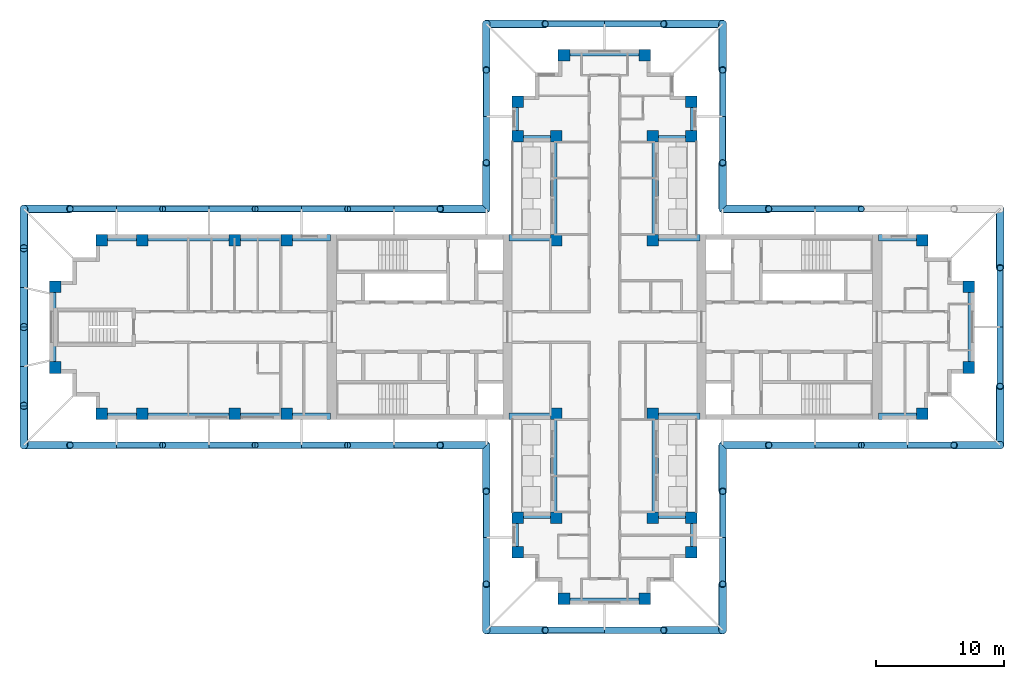
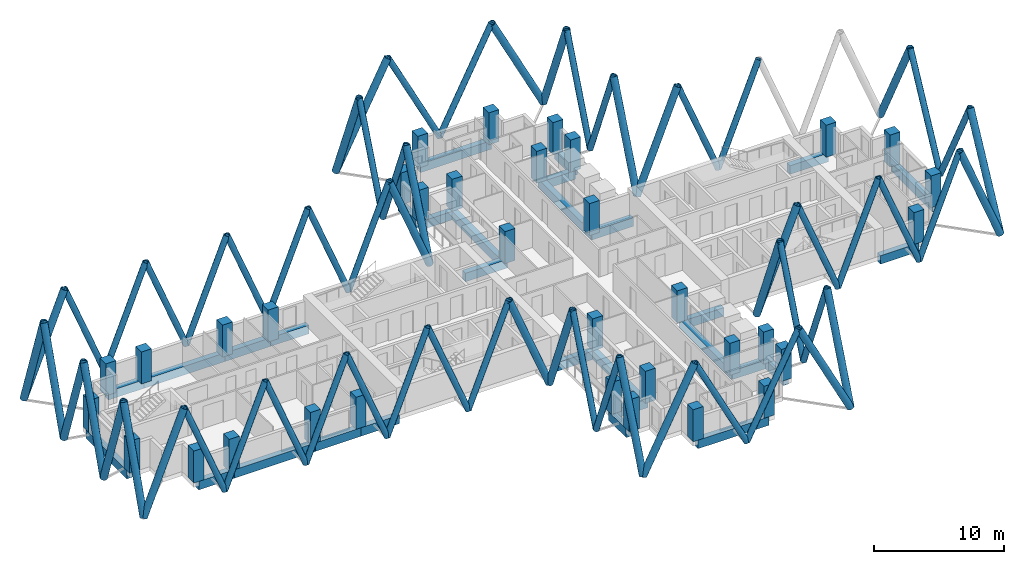
# One storey, part 1 of 12: 63 members, 34 columns, 30 beams.
"""IFC4 building model written with IfcOpenShell, lengths in metres."""

import ifcopenshell
import ifcopenshell.guid

model = None  # the IFC model being written
_history = None  # IfcOwnerHistory: only IFC2X3 demands one
_inside = {}  # id of a spatial element -> (the spatial element, [elements in it])
_under = {}  # id of a project, library or spatial element -> (it, [spatial elements below it])
_declared = {}  # id of a project -> (the project, [libraries it declares])
_typed = {}  # id of a type object -> (the type object, [elements of that type])
_made_of = {}  # id of a material, layer set ... -> (it, [elements and type objects made of it])


def new_model(schema):
    """Start an empty IFC model of exactly this schema.

    Asked for "IFC4X3", IfcOpenShell would pick the latest addendum, in which some entities
    have other attributes; the version numbers below select the first issue.
    IFC2X3 requires an IfcOwnerHistory on every rooted entity: one is made here for all.
    """
    global model, _history
    if schema == "IFC4X3":
        model = ifcopenshell.file(schema_version=(4, 3, 0, 0))
    else:
        model = ifcopenshell.file(schema=schema)
    _inside.clear()
    _under.clear()
    _declared.clear()
    _typed.clear()
    _made_of.clear()
    _history = None
    if model.schema == "IFC2X3":
        org = make("IfcOrganization", Name="unknown")
        user = make(
            "IfcPersonAndOrganization",
            ThePerson=make("IfcPerson", FamilyName="unknown"),
            TheOrganization=org,
        )
        app = make(
            "IfcApplication",
            ApplicationDeveloper=org,
            Version="unknown",
            ApplicationFullName="unknown",
            ApplicationIdentifier="unknown",
        )
        _history = make(
            "IfcOwnerHistory",
            OwningUser=user,
            OwningApplication=app,
            ChangeAction="ADDED",
            CreationDate=0,
        )
    return model


def make(cls, **values):
    """One entity of the class cls with the attributes given. An attribute that is None is left unset."""
    return model.create_entity(
        cls, **{name: value for name, value in values.items() if value is not None}
    )


def rooted(cls, **values):
    """An entity with a GlobalId (a new one), such as an element, a storey or a relation."""
    return make(cls, GlobalId=ifcopenshell.guid.new(), OwnerHistory=_history, **values)


def si_unit(unit_type, name, prefix=None):
    """IfcSIUnit, for example si_unit("LENGTHUNIT", "METRE", prefix="MILLI")."""
    return make("IfcSIUnit", UnitType=unit_type, Prefix=prefix, Name=name)


def assignment(units):
    """IfcUnitAssignment: the units of a project."""
    return None if units is None else make("IfcUnitAssignment", Units=units)


def point(xyz):
    """IfcCartesianPoint."""
    return None if xyz is None else make("IfcCartesianPoint", Coordinates=xyz)


def direction(xyz):
    """IfcDirection."""
    return None if xyz is None else make("IfcDirection", DirectionRatios=xyz)


def frame(location, z_axis=None, x_axis=None):
    """IfcAxis2Placement3D, a coordinate frame: its origin and axes. An axis left out is left unset."""
    return make(
        "IfcAxis2Placement3D",
        Location=point(location),
        Axis=direction(z_axis),
        RefDirection=direction(x_axis),
    )


def frame_2d(location, x_axis=None):
    """IfcAxis2Placement2D, a coordinate frame in the plane: its origin and x axis."""
    return make(
        "IfcAxis2Placement2D", Location=point(location), RefDirection=direction(x_axis)
    )


def origin():
    """The frame at (0, 0, 0) with its axes left unset."""
    return frame((0.0, 0.0, 0.0))


def origin_2d():
    """The frame at (0, 0) in the plane with its x axis left unset."""
    return frame_2d((0.0, 0.0))


def place(relative_to, where):
    """IfcLocalPlacement: puts the frame where relative to a parent placement (None: the world)."""
    return make(
        "IfcLocalPlacement", PlacementRelTo=relative_to, RelativePlacement=where
    )


def context(
    kind, dimensions, precision=None, world=None, true_north=None, identifier=None
):
    """IfcGeometricRepresentationContext, for example the 3D "Model" context."""
    return make(
        "IfcGeometricRepresentationContext",
        ContextIdentifier=identifier,
        ContextType=kind,
        CoordinateSpaceDimension=dimensions,
        Precision=precision,
        WorldCoordinateSystem=world,
        TrueNorth=true_north,
    )


def subcontext(parent, identifier, kind, view, scale=None):
    """IfcGeometricRepresentationSubContext, for example "Body" below "Model"."""
    return make(
        "IfcGeometricRepresentationSubContext",
        ContextIdentifier=identifier,
        ContextType=kind,
        ParentContext=parent,
        TargetScale=scale,
        TargetView=view,
    )


def project(units=None, contexts=None):
    """IfcProject with its units and contexts."""
    return rooted(
        "IfcProject",
        Name="project",
        RepresentationContexts=contexts,
        UnitsInContext=assignment(units),
    )


def spatial(cls, under=None, at=None, **own):
    """A site, building, storey or space (cls), placed at a placement, below another one or the project."""
    s = rooted(cls, ObjectPlacement=at, **own)
    if under is not None:
        _under.setdefault(under.id(), (under, []))[1].append(s)
    return s


def profile(cls, at=None, kind="AREA", **sizes):
    """A parametric profile (cls). Its sizes go by their IFC names, for example OverallWidth=200.0."""
    return make(cls, ProfileType=kind, Position=at, **sizes)


def rectangle(**sizes):
    """IfcRectangleProfileDef."""
    return profile("IfcRectangleProfileDef", **sizes)


def hollow_circle(**sizes):
    """IfcCircleHollowProfileDef."""
    return profile("IfcCircleHollowProfileDef", **sizes)


def extrude(swept, where, along, depth):
    """IfcExtrudedAreaSolid: the profile swept, set in the frame where, extruded along a direction by depth."""
    return make(
        "IfcExtrudedAreaSolid",
        SweptArea=swept,
        Position=where,
        ExtrudedDirection=direction(along),
        Depth=depth,
    )


def shape(context_of_items, identifier, shape_type, items):
    """IfcShapeRepresentation: the items that make up one representation, for example the "Body"."""
    return make(
        "IfcShapeRepresentation",
        ContextOfItems=context_of_items,
        RepresentationIdentifier=identifier,
        RepresentationType=shape_type,
        Items=items,
    )


def material(Name=None, Category=None):
    """IfcMaterial."""
    return make("IfcMaterial", Name=Name, Category=Category)


def material_profile(
    of_material, cross_section, Name=None, Category=None, Priority=None
):
    """IfcMaterialProfile: a cross section and its material."""
    return make(
        "IfcMaterialProfile",
        Name=Name,
        Material=of_material,
        Profile=cross_section,
        Priority=Priority,
        Category=Category,
    )


def profile_set(profiles, Name=None, composite=None):
    """IfcMaterialProfileSet."""
    return make(
        "IfcMaterialProfileSet",
        Name=Name,
        MaterialProfiles=profiles,
        CompositeProfile=composite,
    )


def made_of(thing, what):
    """Note that an element or type object is made of a material, layer set ...; save() writes the relation."""
    if what is not None:
        _made_of.setdefault(what.id(), (what, []))[1].append(thing)
    return thing


def type_object(cls, material=None, **own):
    """A type object (cls), such as IfcWallType, which elements share."""
    return made_of(rooted(cls, **own), material)


def element(
    cls,
    number,
    at=None,
    inside=None,
    cuts=None,
    type_object=None,
    material=None,
    context=None,
    identifier="Body",
    shape_type=None,
    held_by="IfcProductDefinitionShape",
    body=None,
    shapes=None,
    **own,
):
    """One element of the class cls, such as IfcWall. Its Tag is "e" and its number.

    at: its placement. inside: the storey or other place that contains it. cuts: it is an
    opening in that element (IfcRelVoidsElement). A single representation is given by context,
    identifier, shape_type and body (its items); several are given by shapes. held_by: the class
    of the entity that holds the representations. save() writes the other relations.
    """
    e = rooted(cls, Tag="e%d" % number, ObjectPlacement=at, **own)
    if body is not None:
        shapes = [shape(context, identifier, shape_type, body)]
    if shapes is not None:
        e.Representation = make(held_by, Representations=shapes)
    if inside is not None:
        _inside.setdefault(inside.id(), (inside, []))[1].append(e)
    if cuts is not None:
        rooted(
            "IfcRelVoidsElement", RelatingBuildingElement=cuts, RelatedOpeningElement=e
        )
    if type_object is not None:
        _typed.setdefault(type_object.id(), (type_object, []))[1].append(e)
    return made_of(e, material)


def aggregate(whole, parts):
    """IfcRelAggregates: a whole, such as a stair, and the parts it consists of."""
    return rooted("IfcRelAggregates", RelatingObject=whole, RelatedObjects=parts)


def save(model, path):
    """Write the relations noted so far, then the file.

    IfcRelAggregates (storeys below a building ...), IfcRelContainedInSpatialStructure (elements
    in a storey), IfcRelDefinesByType, IfcRelAssociatesMaterial and IfcRelDeclares: one each for
    every whole, place, type object, material and project.
    """
    for whole, parts in _under.values():
        aggregate(whole, parts)
    for where, things in _inside.values():
        rooted(
            "IfcRelContainedInSpatialStructure",
            RelatedElements=things,
            RelatingStructure=where,
        )
    for kind, things in _typed.values():
        rooted("IfcRelDefinesByType", RelatedObjects=things, RelatingType=kind)
    for what, things in _made_of.values():
        rooted("IfcRelAssociatesMaterial", RelatedObjects=things, RelatingMaterial=what)
    for by, libraries in _declared.values():
        rooted("IfcRelDeclares", RelatingContext=by, RelatedDefinitions=libraries)
    model.write(path)


model = new_model("IFC4")

# Units and contexts
model_context = context("Model", 3, precision=1e-05, world=origin(), true_north=direction((0.0, 1.0)))
body_context = subcontext(model_context, "Body", "Model", "MODEL_VIEW")
ifc_project = project(units=[si_unit("LENGTHUNIT", "METRE"), si_unit("AREAUNIT", "SQUARE_METRE"), si_unit("VOLUMEUNIT", "CUBIC_METRE"), si_unit("PLANEANGLEUNIT", "RADIAN"), si_unit("MASSUNIT", "GRAM", prefix="KILO")], contexts=[model_context])

# Site, building, storey
site_placement = place(None, origin())
site = spatial("IfcSite", under=ifc_project, at=site_placement, CompositionType="ELEMENT")
building_placement = place(site_placement, origin())
building = spatial("IfcBuilding", under=site, at=building_placement, Name="Fustian Cross Tower", CompositionType="ELEMENT")
storey_placement = place(building_placement, frame((0.0, 0.0, 179.699951171875)))
storey = spatial("IfcBuildingStorey", under=building, at=storey_placement, Name="L56", CompositionType="ELEMENT", Elevation=179.699951171875)

# Columns
ifc_material_1 = material(Name="Concrete C40/50", Category="concrete")
ifc_material_profile_1 = material_profile(ifc_material_1, rectangle(XDim=0.89990234375, YDim=0.89990234375, at=origin_2d()), Name="RC 900x900")
ifc_profile_set_1 = profile_set([ifc_material_profile_1], Name="Concrete C40/50")
column_type = type_object("IfcColumnType", Name="COLUMN RC 900x900 C40/50", PredefinedType="COLUMN", material=ifc_profile_set_1)
for number, where, z_axis, x_axis, name in (
    (1, (-42.75, -3.14990234375, 0.0), (0.0, 0.0, 1.0), (1.0, 0.0, 0.0), "COLUMN 001"),
    (2, (-42.75, 3.14990234375, 0.0), (0.0, 0.0, 1.0), (1.0, 0.0, 0.0), "COLUMN 002"),
    (3, (-39.14990234375, -6.75, 0.0), (0.0, 0.0, 1.0), (1.0, 0.0, 0.0), "COLUMN 003"),
    (4, (-39.14990234375, 6.75, 0.0), (0.0, 0.0, 1.0), (1.0, 0.0, 0.0), "COLUMN 004"),
    (5, (-36.0, -6.75, 0.0), (0.0, 0.0, 1.0), (1.0, 0.0, 0.0), "COLUMN 005"),
    (6, (-36.0, 6.75, 0.0), (0.0, 0.0, 1.0), (1.0, 0.0, 0.0), "COLUMN 006"),
    (7, (-28.800048828125, -6.75, 0.0), (0.0, 0.0, 1.0), (1.0, 0.0, 0.0), "COLUMN 007"),
    (8, (-28.800048828125, 6.75, 0.0), (0.0, 0.0, 1.0), (1.0, 0.0, 0.0), "COLUMN 010"),
    (9, (-24.75, -6.75, 0.0), (0.0, 0.0, 1.0), (1.0, 0.0, 0.0), "COLUMN 011"),
    (10, (-24.75, 6.75, 0.0), (0.0, 0.0, 1.0), (1.0, 0.0, 0.0), "COLUMN 012"),
    (11, (-6.75, -17.550048828125, 0.0), (0.0, 0.0, 1.0), (1.0, 0.0, 0.0), "COLUMN 017"),
    (12, (-6.75, -14.85009765625, 0.0), (0.0, 0.0, 1.0), (1.0, 0.0, 0.0), "COLUMN 018"),
    (13, (-6.75, 14.85009765625, 0.0), (0.0, 0.0, 1.0), (1.0, 0.0, 0.0), "COLUMN 019"),
    (14, (-6.75, 17.550048828125, 0.0), (0.0, 0.0, 1.0), (1.0, 0.0, 0.0), "COLUMN 020"),
    (15, (-3.75, -14.85009765625, 0.0), (0.0, 0.0, 1.0), (1.0, 0.0, 0.0), "COLUMN 025"),
    (16, (-3.75, -6.75, 0.0), (0.0, 0.0, 1.0), (1.0, 0.0, 0.0), "COLUMN 026"),
    (17, (-3.75, 6.75, 0.0), (0.0, 0.0, 1.0), (1.0, 0.0, 0.0), "COLUMN 027"),
    (18, (-3.75, 14.85009765625, 0.0), (0.0, 0.0, 1.0), (1.0, 0.0, 0.0), "COLUMN 028"),
    (19, (-3.14990234375, -21.14990234375, 0.0), (0.0, 0.0, 1.0), (1.0, 0.0, 0.0), "COLUMN 030"),
    (20, (-3.14990234375, 21.14990234375, 0.0), (0.0, 0.0, 1.0), (1.0, 0.0, 0.0), "COLUMN 031"),
    (21, (3.14990234375, -21.14990234375, 0.0), (0.0, 0.0, 1.0), (1.0, 0.0, 0.0), "COLUMN 034"),
    (22, (3.14990234375, 21.14990234375, 0.0), (0.0, 0.0, 1.0), (1.0, 0.0, 0.0), "COLUMN 035"),
    (23, (3.75, -14.85009765625, 0.0), (0.0, 0.0, 1.0), (1.0, 0.0, 0.0), "COLUMN 037"),
    (24, (3.75, -6.75, 0.0), (0.0, 0.0, 1.0), (1.0, 0.0, 0.0), "COLUMN 038"),
    (25, (3.75, 6.75, 0.0), (0.0, 0.0, 1.0), (1.0, 0.0, 0.0), "COLUMN 039"),
    (26, (3.75, 14.85009765625, 0.0), (0.0, 0.0, 1.0), (1.0, 0.0, 0.0), "COLUMN 040"),
    (27, (6.75, -17.550048828125, 0.0), (0.0, 0.0, 1.0), (1.0, 0.0, 0.0), "COLUMN 045"),
    (28, (6.75, -14.85009765625, 0.0), (0.0, 0.0, 1.0), (1.0, 0.0, 0.0), "COLUMN 046"),
    (29, (6.75, 14.85009765625, 0.0), (0.0, 0.0, 1.0), (1.0, 0.0, 0.0), "COLUMN 047"),
    (30, (6.75, 17.550048828125, 0.0), (0.0, 0.0, 1.0), (1.0, 0.0, 0.0), "COLUMN 048"),
    (31, (24.75, -6.75, 0.0), (0.0, 0.0, 1.0), (1.0, 0.0, 0.0), "COLUMN 053"),
    (32, (24.75, 6.75, 0.0), (0.0, 0.0, 1.0), (1.0, 0.0, 0.0), "COLUMN 054"),
    (33, (28.35009765625, -3.14990234375, 0.0), (0.0, 0.0, 1.0), (1.0, 0.0, 0.0), "COLUMN 056"),
    (34, (28.35009765625, 3.14990234375, 0.0), (0.0, 0.0, 1.0), (1.0, 0.0, 0.0), "COLUMN 057"),
):
    element("IfcColumn", number, at=place(storey_placement, frame(where, z_axis=z_axis, x_axis=x_axis)), inside=storey, type_object=column_type, Name=name, PredefinedType="COLUMN", context=body_context, shape_type="SweptSolid", body=[
        extrude(rectangle(XDim=0.89990234375, YDim=0.89990234375, at=origin_2d()), origin(), (0.0, 0.0, 1.0), 3.0),
    ])

# Members
ifc_material_2 = material(Name="Steel S355", Category="steel")
ifc_material_profile_2 = material_profile(ifc_material_2, hollow_circle(Radius=0.25390625, WallThickness=0.02001953125, at=origin_2d()), Name="CHS 508x20")
ifc_profile_set_2 = profile_set([ifc_material_profile_2], Name="Steel S355")
member_type_1 = type_object("IfcMemberType", Name="DIAGRID DIAGONAL CHS 508x20", PredefinedType="BRACE", material=ifc_profile_set_2)
for number, where, z_axis, x_axis, name in (
    (35, (16.39990234375, -9.199951171875, 0.0), (-0.371377648723, 0.0, 0.928481901832), (0.0, -1.0, 0.0), "Diagrid diagonal E-S 02"),
    (36, (16.39990234375, -9.199951171875, 0.0), (0.37139936132, 0.0, 0.928473216852), (0.0, 1.0, 0.0), "Diagrid diagonal E-S 03"),
    (37, (23.60009765625, -9.199951171875, 0.0), (-0.37139936132, 0.0, 0.928473216852), (0.0, -1.0, 0.0), "Diagrid diagonal E-S 04"),
    (38, (23.60009765625, -9.199951171875, 0.0), (0.371377648723, 0.0, 0.928481901832), (0.0, 1.0, 0.0), "Diagrid diagonal E-S 05"),
):
    element("IfcMember", number, at=place(storey_placement, frame(where, z_axis=z_axis, x_axis=x_axis)), inside=storey, type_object=member_type_1, Name=name, PredefinedType="BRACE", context=body_context, shape_type="SweptSolid", body=[
        extrude(hollow_circle(Radius=0.25390625, WallThickness=0.02001953125, at=origin_2d()), origin(), (0.0, 0.0, 1.0), 9.693359375),
    ])
for number, where, z_axis, x_axis, name in (
    (39, (30.800048828125, 0.0, 0.0), (0.0, -0.455118720355, 0.890430766754), (1.0, 0.0, 0.0), "Diagrid diagonal E-end 02"),
    (40, (30.800048828125, 0.0, 0.0), (0.0, 0.455118720355, 0.890430766754), (-1.0, 0.0, 0.0), "Diagrid diagonal E-end 03"),
):
    element("IfcMember", number, at=place(storey_placement, frame(where, z_axis=z_axis, x_axis=x_axis)), inside=storey, type_object=member_type_1, Name=name, PredefinedType="BRACE", context=body_context, shape_type="SweptSolid", body=[
        extrude(hollow_circle(Radius=0.25390625, WallThickness=0.02001953125, at=origin_2d()), origin(), (0.0, 0.0, 1.0), 10.107421875),
    ])
for number, where, z_axis, x_axis, name in (
    (41, (16.39990234375, 9.199951171875, 0.0), (0.37139936132, 0.0, 0.928473216852), (0.0, 1.0, 0.0), "Diagrid diagonal E-N 04"),
    (42, (16.39990234375, 9.199951171875, 0.0), (-0.371377648723, 0.0, 0.928481901832), (0.0, -1.0, 0.0), "Diagrid diagonal E-N 05"),
    (43, (9.199951171875, 16.39990234375, 0.0), (0.0, -0.371377648723, 0.928481901832), (1.0, 0.0, 0.0), "Diagrid diagonal N-E 02"),
    (44, (9.199951171875, 16.39990234375, 0.0), (0.0, 0.37139936132, 0.928473216852), (-1.0, 0.0, 0.0), "Diagrid diagonal N-E 03"),
):
    element("IfcMember", number, at=place(storey_placement, frame(where, z_axis=z_axis, x_axis=x_axis)), inside=storey, type_object=member_type_1, Name=name, PredefinedType="BRACE", context=body_context, shape_type="SweptSolid", body=[
        extrude(hollow_circle(Radius=0.25390625, WallThickness=0.02001953125, at=origin_2d()), origin(), (0.0, 0.0, 1.0), 9.693359375),
    ])
for number, where, z_axis, x_axis, name in (
    (45, (0.0, 23.60009765625, 0.0), (0.455118720355, 0.0, 0.890430766754), (0.0, 1.0, 0.0), "Diagrid diagonal N-end 02"),
    (46, (0.0, 23.60009765625, 0.0), (-0.455118720355, 0.0, 0.890430766754), (0.0, -1.0, 0.0), "Diagrid diagonal N-end 03"),
):
    element("IfcMember", number, at=place(storey_placement, frame(where, z_axis=z_axis, x_axis=x_axis)), inside=storey, type_object=member_type_1, Name=name, PredefinedType="BRACE", context=body_context, shape_type="SweptSolid", body=[
        extrude(hollow_circle(Radius=0.25390625, WallThickness=0.02001953125, at=origin_2d()), origin(), (0.0, 0.0, 1.0), 10.107421875),
    ])
for number, where, z_axis, x_axis, name in (
    (47, (-9.199951171875, 16.39990234375, 0.0), (0.0, 0.37139936132, 0.928473216852), (-1.0, 0.0, 0.0), "Diagrid diagonal N-W 02"),
    (48, (-9.199951171875, 16.39990234375, 0.0), (0.0, -0.371377648723, 0.928481901832), (1.0, 0.0, 0.0), "Diagrid diagonal N-W 03"),
    (49, (-16.39990234375, 9.199951171875, 0.0), (0.371377648723, 0.0, 0.928481901832), (0.0, 1.0, 0.0), "Diagrid diagonal W-N 02"),
    (50, (-16.39990234375, 9.199951171875, 0.0), (-0.37139936132, 0.0, 0.928473216852), (0.0, -1.0, 0.0), "Diagrid diagonal W-N 03"),
    (51, (-23.60009765625, 9.199951171875, 0.0), (0.37139936132, 0.0, 0.928473216852), (0.0, 1.0, 0.0), "Diagrid diagonal W-N 04"),
    (52, (-23.60009765625, 9.199951171875, 0.0), (-0.371377648723, 0.0, 0.928481901832), (0.0, -1.0, 0.0), "Diagrid diagonal W-N 05"),
    (53, (-30.800048828125, 9.199951171875, 0.0), (0.37139936132, 0.0, 0.928473216852), (0.0, 1.0, 0.0), "Diagrid diagonal W-N 06"),
    (54, (-30.800048828125, 9.199951171875, 0.0), (-0.371377648723, 0.0, 0.928481901832), (0.0, -1.0, 0.0), "Diagrid diagonal W-N 07"),
    (55, (-38.0, 9.199951171875, 0.0), (0.37139936132, 0.0, 0.928473216852), (0.0, 1.0, 0.0), "Diagrid diagonal W-N 08"),
    (56, (-38.0, 9.199951171875, 0.0), (-0.37139936132, 0.0, 0.928473216852), (0.0, -1.0, 0.0), "Diagrid diagonal W-N 09"),
    (57, (-38.0, -9.199951171875, 0.0), (-0.37139936132, 0.0, 0.928473216852), (0.0, -1.0, 0.0), "Diagrid diagonal W-S 02"),
    (58, (-38.0, -9.199951171875, 0.0), (0.37139936132, 0.0, 0.928473216852), (0.0, 1.0, 0.0), "Diagrid diagonal W-S 03"),
    (59, (-30.800048828125, -9.199951171875, 0.0), (-0.371377648723, 0.0, 0.928481901832), (0.0, -1.0, 0.0), "Diagrid diagonal W-S 04"),
    (60, (-30.800048828125, -9.199951171875, 0.0), (0.37139936132, 0.0, 0.928473216852), (0.0, 1.0, 0.0), "Diagrid diagonal W-S 05"),
    (61, (-23.60009765625, -9.199951171875, 0.0), (-0.371377648723, 0.0, 0.928481901832), (0.0, -1.0, 0.0), "Diagrid diagonal W-S 06"),
    (62, (-23.60009765625, -9.199951171875, 0.0), (0.37139936132, 0.0, 0.928473216852), (0.0, 1.0, 0.0), "Diagrid diagonal W-S 07"),
    (63, (-16.39990234375, -9.199951171875, 0.0), (-0.37139936132, 0.0, 0.928473216852), (0.0, -1.0, 0.0), "Diagrid diagonal W-S 08"),
    (64, (-16.39990234375, -9.199951171875, 0.0), (0.371377648723, 0.0, 0.928481901832), (0.0, 1.0, 0.0), "Diagrid diagonal W-S 09"),
    (65, (-9.199951171875, -16.39990234375, 0.0), (0.0, 0.371377648723, 0.928481901832), (-1.0, 0.0, 0.0), "Diagrid diagonal S-W 02"),
    (66, (-9.199951171875, -16.39990234375, 0.0), (0.0, -0.37139936132, 0.928473216852), (1.0, 0.0, 0.0), "Diagrid diagonal S-W 03"),
):
    element("IfcMember", number, at=place(storey_placement, frame(where, z_axis=z_axis, x_axis=x_axis)), inside=storey, type_object=member_type_1, Name=name, PredefinedType="BRACE", context=body_context, shape_type="SweptSolid", body=[
        extrude(hollow_circle(Radius=0.25390625, WallThickness=0.02001953125, at=origin_2d()), origin(), (0.0, 0.0, 1.0), 9.693359375),
    ])
for number, where, z_axis, x_axis, name in (
    (67, (0.0, -23.60009765625, 0.0), (-0.455118720355, 0.0, 0.890430766754), (0.0, -1.0, 0.0), "Diagrid diagonal S-end 02"),
    (68, (0.0, -23.60009765625, 0.0), (0.455118720355, 0.0, 0.890430766754), (0.0, 1.0, 0.0), "Diagrid diagonal S-end 03"),
):
    element("IfcMember", number, at=place(storey_placement, frame(where, z_axis=z_axis, x_axis=x_axis)), inside=storey, type_object=member_type_1, Name=name, PredefinedType="BRACE", context=body_context, shape_type="SweptSolid", body=[
        extrude(hollow_circle(Radius=0.25390625, WallThickness=0.02001953125, at=origin_2d()), origin(), (0.0, 0.0, 1.0), 10.107421875),
    ])
for number, where, z_axis, x_axis, name in (
    (69, (9.199951171875, -16.39990234375, 0.0), (0.0, -0.37139936132, 0.928473216852), (1.0, 0.0, 0.0), "Diagrid diagonal S-E 02"),
    (70, (9.199951171875, -16.39990234375, 0.0), (0.0, 0.371377648723, 0.928481901832), (-1.0, 0.0, 0.0), "Diagrid diagonal S-E 03"),
):
    element("IfcMember", number, at=place(storey_placement, frame(where, z_axis=z_axis, x_axis=x_axis)), inside=storey, type_object=member_type_1, Name=name, PredefinedType="BRACE", context=body_context, shape_type="SweptSolid", body=[
        extrude(hollow_circle(Radius=0.25390625, WallThickness=0.02001953125, at=origin_2d()), origin(), (0.0, 0.0, 1.0), 9.693359375),
    ])
ifc_material_3 = material(Name="Steel S355", Category="steel")
ifc_material_profile_3 = material_profile(ifc_material_3, hollow_circle(Radius=0.3046875, WallThickness=0.02490234375, at=origin_2d()), Name="CHS 610x25")
ifc_profile_set_3 = profile_set([ifc_material_profile_3], Name="Steel S355")
member_type_2 = type_object("IfcMemberType", Name="DIAGRID DIAGONAL CHS 610x25", PredefinedType="BRACE", material=ifc_profile_set_3)
for number, where, z_axis, x_axis, name in (
    (71, (9.199951171875, -9.199951171875, 0.0), (0.37139936132, 0.0, 0.928473216852), (0.0, 1.0, 0.0), "Diagrid diagonal E-S 01"),
    (72, (30.800048828125, -9.199951171875, 0.0), (-0.37139936132, 0.0, 0.928473216852), (0.0, -1.0, 0.0), "Diagrid diagonal E-S 06"),
):
    element("IfcMember", number, at=place(storey_placement, frame(where, z_axis=z_axis, x_axis=x_axis)), inside=storey, type_object=member_type_2, Name=name, PredefinedType="BRACE", context=body_context, shape_type="SweptSolid", body=[
        extrude(hollow_circle(Radius=0.3046875, WallThickness=0.02490234375, at=origin_2d()), origin(), (0.0, 0.0, 1.0), 9.693359375),
    ])
for number, where, z_axis, x_axis, name in (
    (73, (30.800048828125, -9.199951171875, 0.0), (0.0, 0.45509956875, 0.8904405553), (-1.0, 0.0, 0.0), "Diagrid diagonal E-end 01"),
    (74, (30.800048828125, 9.199951171875, 0.0), (0.0, -0.45509956875, 0.8904405553), (1.0, 0.0, 0.0), "Diagrid diagonal E-end 04"),
):
    element("IfcMember", number, at=place(storey_placement, frame(where, z_axis=z_axis, x_axis=x_axis)), inside=storey, type_object=member_type_2, Name=name, PredefinedType="BRACE", context=body_context, shape_type="SweptSolid", body=[
        extrude(hollow_circle(Radius=0.3046875, WallThickness=0.02490234375, at=origin_2d()), origin(), (0.0, 0.0, 1.0), 10.107421875),
    ])
for number, where, z_axis, x_axis, name in (
    (75, (9.199951171875, 9.199951171875, 0.0), (0.37139936132, 0.0, 0.928473216852), (0.0, 1.0, 0.0), "Diagrid diagonal E-N 06"),
    (76, (9.199951171875, 9.199951171875, 0.0), (0.0, 0.37139936132, 0.928473216852), (-1.0, 0.0, 0.0), "Diagrid diagonal N-E 01"),
    (77, (9.199951171875, 23.60009765625, 0.0), (0.0, -0.37139936132, 0.928473216852), (1.0, 0.0, 0.0), "Diagrid diagonal N-E 04"),
):
    element("IfcMember", number, at=place(storey_placement, frame(where, z_axis=z_axis, x_axis=x_axis)), inside=storey, type_object=member_type_2, Name=name, PredefinedType="BRACE", context=body_context, shape_type="SweptSolid", body=[
        extrude(hollow_circle(Radius=0.3046875, WallThickness=0.02490234375, at=origin_2d()), origin(), (0.0, 0.0, 1.0), 9.693359375),
    ])
for number, where, z_axis, x_axis, name in (
    (78, (9.199951171875, 23.60009765625, 0.0), (-0.45509956875, 0.0, 0.8904405553), (0.0, -1.0, 0.0), "Diagrid diagonal N-end 01"),
    (79, (-9.199951171875, 23.60009765625, 0.0), (0.45509956875, 0.0, 0.8904405553), (0.0, 1.0, 0.0), "Diagrid diagonal N-end 04"),
):
    element("IfcMember", number, at=place(storey_placement, frame(where, z_axis=z_axis, x_axis=x_axis)), inside=storey, type_object=member_type_2, Name=name, PredefinedType="BRACE", context=body_context, shape_type="SweptSolid", body=[
        extrude(hollow_circle(Radius=0.3046875, WallThickness=0.02490234375, at=origin_2d()), origin(), (0.0, 0.0, 1.0), 10.107421875),
    ])
for number, where, z_axis, x_axis, name in (
    (80, (-9.199951171875, 23.60009765625, 0.0), (0.0, -0.37139936132, 0.928473216852), (1.0, 0.0, 0.0), "Diagrid diagonal N-W 01"),
    (81, (-9.199951171875, 9.199951171875, 0.0), (0.0, 0.37139936132, 0.928473216852), (-1.0, 0.0, 0.0), "Diagrid diagonal N-W 04"),
    (82, (-9.199951171875, 9.199951171875, 0.0), (-0.37139936132, 0.0, 0.928473216852), (0.0, -1.0, 0.0), "Diagrid diagonal W-N 01"),
    (83, (-45.199951171875, 9.199951171875, 0.0), (0.371377648723, 0.0, 0.928481901832), (0.0, 1.0, 0.0), "Diagrid diagonal W-N 10"),
):
    element("IfcMember", number, at=place(storey_placement, frame(where, z_axis=z_axis, x_axis=x_axis)), inside=storey, type_object=member_type_2, Name=name, PredefinedType="BRACE", context=body_context, shape_type="SweptSolid", body=[
        extrude(hollow_circle(Radius=0.3046875, WallThickness=0.02490234375, at=origin_2d()), origin(), (0.0, 0.0, 1.0), 9.693359375),
    ])
for number, where, z_axis, x_axis, name in (
    (84, (-45.199951171875, 9.199951171875, 0.0), (0.0, -0.32252962867, 0.946559368783), (1.0, 0.0, 0.0), "Diagrid diagonal W-end 01"),
    (85, (-45.199951171875, 3.066650390625, 0.0), (0.0, 0.32252962867, 0.946559368783), (-1.0, 0.0, 0.0), "Diagrid diagonal W-end 02"),
    (86, (-45.199951171875, 3.066650390625, 0.0), (0.0, -0.32252962867, 0.946559368783), (1.0, 0.0, 0.0), "Diagrid diagonal W-end 03"),
    (87, (-45.199951171875, -3.066650390625, 0.0), (0.0, 0.32252962867, 0.946559368783), (-1.0, 0.0, 0.0), "Diagrid diagonal W-end 04"),
    (88, (-45.199951171875, -3.066650390625, 0.0), (0.0, -0.32252962867, 0.946559368783), (1.0, 0.0, 0.0), "Diagrid diagonal W-end 05"),
    (89, (-45.199951171875, -9.199951171875, 0.0), (0.0, 0.32252962867, 0.946559368783), (-1.0, 0.0, 0.0), "Diagrid diagonal W-end 06"),
):
    element("IfcMember", number, at=place(storey_placement, frame(where, z_axis=z_axis, x_axis=x_axis)), inside=storey, type_object=member_type_2, Name=name, PredefinedType="BRACE", context=body_context, shape_type="SweptSolid", body=[
        extrude(hollow_circle(Radius=0.3046875, WallThickness=0.02490234375, at=origin_2d()), origin(), (0.0, 0.0, 1.0), 9.508056640625),
    ])
for number, where, z_axis, x_axis, name in (
    (90, (-45.199951171875, -9.199951171875, 0.0), (0.371377648723, 0.0, 0.928481901832), (0.0, 1.0, 0.0), "Diagrid diagonal W-S 01"),
    (91, (-9.199951171875, -9.199951171875, 0.0), (-0.37139936132, 0.0, 0.928473216852), (0.0, -1.0, 0.0), "Diagrid diagonal W-S 10"),
    (92, (-9.199951171875, -9.199951171875, 0.0), (0.0, -0.37139936132, 0.928473216852), (1.0, 0.0, 0.0), "Diagrid diagonal S-W 01"),
    (93, (-9.199951171875, -23.60009765625, 0.0), (0.0, 0.37139936132, 0.928473216852), (-1.0, 0.0, 0.0), "Diagrid diagonal S-W 04"),
):
    element("IfcMember", number, at=place(storey_placement, frame(where, z_axis=z_axis, x_axis=x_axis)), inside=storey, type_object=member_type_2, Name=name, PredefinedType="BRACE", context=body_context, shape_type="SweptSolid", body=[
        extrude(hollow_circle(Radius=0.3046875, WallThickness=0.02490234375, at=origin_2d()), origin(), (0.0, 0.0, 1.0), 9.693359375),
    ])
for number, where, z_axis, x_axis, name in (
    (94, (-9.199951171875, -23.60009765625, 0.0), (0.45509956875, 0.0, 0.8904405553), (0.0, 1.0, 0.0), "Diagrid diagonal S-end 01"),
    (95, (9.199951171875, -23.60009765625, 0.0), (-0.45509956875, 0.0, 0.8904405553), (0.0, -1.0, 0.0), "Diagrid diagonal S-end 04"),
):
    element("IfcMember", number, at=place(storey_placement, frame(where, z_axis=z_axis, x_axis=x_axis)), inside=storey, type_object=member_type_2, Name=name, PredefinedType="BRACE", context=body_context, shape_type="SweptSolid", body=[
        extrude(hollow_circle(Radius=0.3046875, WallThickness=0.02490234375, at=origin_2d()), origin(), (0.0, 0.0, 1.0), 10.107421875),
    ])
for number, where, z_axis, x_axis, name in (
    (96, (9.199951171875, -23.60009765625, 0.0), (0.0, 0.37139936132, 0.928473216852), (-1.0, 0.0, 0.0), "Diagrid diagonal S-E 01"),
    (97, (9.199951171875, -9.199951171875, 0.0), (0.0, -0.37139936132, 0.928473216852), (1.0, 0.0, 0.0), "Diagrid diagonal S-E 04"),
):
    element("IfcMember", number, at=place(storey_placement, frame(where, z_axis=z_axis, x_axis=x_axis)), inside=storey, type_object=member_type_2, Name=name, PredefinedType="BRACE", context=body_context, shape_type="SweptSolid", body=[
        extrude(hollow_circle(Radius=0.3046875, WallThickness=0.02490234375, at=origin_2d()), origin(), (0.0, 0.0, 1.0), 9.693359375),
    ])

# Beams
ifc_material_4 = material(Name="Concrete C50/60", Category="concrete")
ifc_material_profile_4 = material_profile(ifc_material_4, rectangle(XDim=0.5, YDim=0.800048828125, at=origin_2d()), Name="RC 500x800")
ifc_profile_set_4 = profile_set([ifc_material_profile_4], Name="Concrete C50/60")
beam_type = type_object("IfcBeamType", Name="EDGE BEAM RC 500x800 C50/60", PredefinedType="SPANDREL", material=ifc_profile_set_4)
beam_1_placement = place(storey_placement, frame((21.35009765625, -6.949951171875, -0.39990234375), z_axis=(1.0, 0.0, 0.0), x_axis=(0.0, 1.0, 0.0)))
element("IfcBeam", 98, at=beam_1_placement, inside=storey, type_object=beam_type, Name="EDGE BEAM L56-01", PredefinedType="SPANDREL", context=body_context, shape_type="SweptSolid", body=[
    extrude(rectangle(XDim=0.5, YDim=0.800048828125, at=origin_2d()), origin(), (0.0, 0.0, 1.0), 3.39990234375),
])
beam_2_placement = place(storey_placement, frame((28.550048828125, -3.14990234375, -0.39990234375), z_axis=(0.0, 1.0, 0.0), x_axis=(-1.0, 0.0, 0.0)))
element("IfcBeam", 99, at=beam_2_placement, inside=storey, type_object=beam_type, Name="EDGE BEAM L56-02", PredefinedType="SPANDREL", context=body_context, shape_type="SweptSolid", body=[
    extrude(rectangle(XDim=0.5, YDim=0.800048828125, at=origin_2d()), origin(), (0.0, 0.0, 1.0), 6.2998046875),
])
beam_3_placement = place(storey_placement, frame((24.75, 6.949951171875, -0.39990234375), z_axis=(-1.0, 0.0, 0.0), x_axis=(0.0, -1.0, 0.0)))
element("IfcBeam", 100, at=beam_3_placement, inside=storey, type_object=beam_type, Name="EDGE BEAM L56-03", PredefinedType="SPANDREL", context=body_context, shape_type="SweptSolid", body=[
    extrude(rectangle(XDim=0.5, YDim=0.800048828125, at=origin_2d()), origin(), (0.0, 0.0, 1.0), 3.39990234375),
])
beam_4_placement = place(storey_placement, frame((7.449951171875, 6.949951171875, -0.39990234375), z_axis=(-1.0, 0.0, 0.0), x_axis=(0.0, -1.0, 0.0)))
element("IfcBeam", 101, at=beam_4_placement, inside=storey, type_object=beam_type, Name="EDGE BEAM L56-04", PredefinedType="SPANDREL", context=body_context, shape_type="SweptSolid", body=[
    extrude(rectangle(XDim=0.5, YDim=0.800048828125, at=origin_2d()), origin(), (0.0, 0.0, 1.0), 3.699951171875),
])
beam_5_placement = place(storey_placement, frame((3.949951171875, 6.75, -0.39990234375), z_axis=(0.0, 1.0, 0.0), x_axis=(-1.0, 0.0, 0.0)))
element("IfcBeam", 102, at=beam_5_placement, inside=storey, type_object=beam_type, Name="EDGE BEAM L56-05", PredefinedType="SPANDREL", context=body_context, shape_type="SweptSolid", body=[
    extrude(rectangle(XDim=0.5, YDim=0.800048828125, at=origin_2d()), origin(), (0.0, 0.0, 1.0), 8.10009765625),
])
beam_6_placement = place(storey_placement, frame((3.75, 14.64990234375, -0.39990234375), z_axis=(1.0, 0.0, 0.0), x_axis=(0.0, 1.0, 0.0)))
element("IfcBeam", 103, at=beam_6_placement, inside=storey, type_object=beam_type, Name="EDGE BEAM L56-06", PredefinedType="SPANDREL", context=body_context, shape_type="SweptSolid", body=[
    extrude(rectangle(XDim=0.5, YDim=0.800048828125, at=origin_2d()), origin(), (0.0, 0.0, 1.0), 3.0),
])
beam_7_placement = place(storey_placement, frame((6.949951171875, 14.85009765625, -0.39990234375), z_axis=(0.0, 1.0, 0.0), x_axis=(-1.0, 0.0, 0.0)))
element("IfcBeam", 104, at=beam_7_placement, inside=storey, type_object=beam_type, Name="EDGE BEAM L56-07", PredefinedType="SPANDREL", context=body_context, shape_type="SweptSolid", body=[
    extrude(rectangle(XDim=0.5, YDim=0.800048828125, at=origin_2d()), origin(), (0.0, 0.0, 1.0), 2.699951171875),
])
beam_8_placement = place(storey_placement, frame((3.14990234375, 21.35009765625, -0.39990234375), z_axis=(-1.0, 0.0, 0.0), x_axis=(0.0, -1.0, 0.0)))
element("IfcBeam", 105, at=beam_8_placement, inside=storey, type_object=beam_type, Name="EDGE BEAM L56-08", PredefinedType="SPANDREL", context=body_context, shape_type="SweptSolid", body=[
    extrude(rectangle(XDim=0.5, YDim=0.800048828125, at=origin_2d()), origin(), (0.0, 0.0, 1.0), 6.2998046875),
])
beam_9_placement = place(storey_placement, frame((-6.949951171875, 17.550048828125, -0.39990234375), z_axis=(0.0, -1.0, 0.0), x_axis=(1.0, 0.0, 0.0)))
element("IfcBeam", 106, at=beam_9_placement, inside=storey, type_object=beam_type, Name="EDGE BEAM L56-09", PredefinedType="SPANDREL", context=body_context, shape_type="SweptSolid", body=[
    extrude(rectangle(XDim=0.5, YDim=0.800048828125, at=origin_2d()), origin(), (0.0, 0.0, 1.0), 2.699951171875),
])
beam_10_placement = place(storey_placement, frame((-6.75, 14.64990234375, -0.39990234375), z_axis=(1.0, 0.0, 0.0), x_axis=(0.0, 1.0, 0.0)))
element("IfcBeam", 107, at=beam_10_placement, inside=storey, type_object=beam_type, Name="EDGE BEAM L56-10", PredefinedType="SPANDREL", context=body_context, shape_type="SweptSolid", body=[
    extrude(rectangle(XDim=0.5, YDim=0.800048828125, at=origin_2d()), origin(), (0.0, 0.0, 1.0), 3.0),
])
beam_11_placement = place(storey_placement, frame((-3.949951171875, 14.85009765625, -0.39990234375), z_axis=(0.0, -1.0, 0.0), x_axis=(1.0, 0.0, 0.0)))
element("IfcBeam", 108, at=beam_11_placement, inside=storey, type_object=beam_type, Name="EDGE BEAM L56-11", PredefinedType="SPANDREL", context=body_context, shape_type="SweptSolid", body=[
    extrude(rectangle(XDim=0.5, YDim=0.800048828125, at=origin_2d()), origin(), (0.0, 0.0, 1.0), 8.10009765625),
])
beam_12_placement = place(storey_placement, frame((-3.75, 6.949951171875, -0.39990234375), z_axis=(-1.0, 0.0, 0.0), x_axis=(0.0, -1.0, 0.0)))
element("IfcBeam", 109, at=beam_12_placement, inside=storey, type_object=beam_type, Name="EDGE BEAM L56-12", PredefinedType="SPANDREL", context=body_context, shape_type="SweptSolid", body=[
    extrude(rectangle(XDim=0.5, YDim=0.800048828125, at=origin_2d()), origin(), (0.0, 0.0, 1.0), 3.699951171875),
])
beam_13_placement = place(storey_placement, frame((-21.35009765625, 6.949951171875, -0.39990234375), z_axis=(-1.0, 0.0, 0.0), x_axis=(0.0, -1.0, 0.0)))
element("IfcBeam", 110, at=beam_13_placement, inside=storey, type_object=beam_type, Name="EDGE BEAM L56-13", PredefinedType="SPANDREL", context=body_context, shape_type="SweptSolid", body=[
    extrude(rectangle(XDim=0.5, YDim=0.800048828125, at=origin_2d()), origin(), (0.0, 0.0, 1.0), 3.39990234375),
])
beam_14_placement = place(storey_placement, frame((-24.75, 6.949951171875, -0.39990234375), z_axis=(-1.0, 0.0, 0.0), x_axis=(0.0, -1.0, 0.0)))
element("IfcBeam", 111, at=beam_14_placement, inside=storey, type_object=beam_type, Name="EDGE BEAM L56-14", PredefinedType="SPANDREL", context=body_context, shape_type="SweptSolid", body=[
    extrude(rectangle(XDim=0.5, YDim=0.800048828125, at=origin_2d()), origin(), (0.0, 0.0, 1.0), 4.050048828125),
])
beam_15_placement = place(storey_placement, frame((-28.800048828125, 6.949951171875, -0.39990234375), z_axis=(-1.0, 0.0, 0.0), x_axis=(0.0, -1.0, 0.0)))
element("IfcBeam", 112, at=beam_15_placement, inside=storey, type_object=beam_type, Name="EDGE BEAM L56-15", PredefinedType="SPANDREL", context=body_context, shape_type="SweptSolid", body=[
    extrude(rectangle(XDim=0.5, YDim=0.800048828125, at=origin_2d()), origin(), (0.0, 0.0, 1.0), 7.199951171875),
])
beam_16_placement = place(storey_placement, frame((-36.0, 6.949951171875, -0.39990234375), z_axis=(-1.0, 0.0, 0.0), x_axis=(0.0, -1.0, 0.0)))
element("IfcBeam", 113, at=beam_16_placement, inside=storey, type_object=beam_type, Name="EDGE BEAM L56-16", PredefinedType="SPANDREL", context=body_context, shape_type="SweptSolid", body=[
    extrude(rectangle(XDim=0.5, YDim=0.800048828125, at=origin_2d()), origin(), (0.0, 0.0, 1.0), 3.14990234375),
])
beam_17_placement = place(storey_placement, frame((-42.949951171875, 3.14990234375, -0.39990234375), z_axis=(0.0, -1.0, 0.0), x_axis=(1.0, 0.0, 0.0)))
element("IfcBeam", 114, at=beam_17_placement, inside=storey, type_object=beam_type, Name="EDGE BEAM L56-17", PredefinedType="SPANDREL", context=body_context, shape_type="SweptSolid", body=[
    extrude(rectangle(XDim=0.5, YDim=0.800048828125, at=origin_2d()), origin(), (0.0, 0.0, 1.0), 6.2998046875),
])
beam_18_placement = place(storey_placement, frame((-39.14990234375, -6.949951171875, -0.39990234375), z_axis=(1.0, 0.0, 0.0), x_axis=(0.0, 1.0, 0.0)))
element("IfcBeam", 115, at=beam_18_placement, inside=storey, type_object=beam_type, Name="EDGE BEAM L56-18", PredefinedType="SPANDREL", context=body_context, shape_type="SweptSolid", body=[
    extrude(rectangle(XDim=0.5, YDim=0.800048828125, at=origin_2d()), origin(), (0.0, 0.0, 1.0), 3.14990234375),
])
beam_19_placement = place(storey_placement, frame((-36.0, -6.949951171875, -0.39990234375), z_axis=(1.0, 0.0, 0.0), x_axis=(0.0, 1.0, 0.0)))
element("IfcBeam", 116, at=beam_19_placement, inside=storey, type_object=beam_type, Name="EDGE BEAM L56-19", PredefinedType="SPANDREL", context=body_context, shape_type="SweptSolid", body=[
    extrude(rectangle(XDim=0.5, YDim=0.800048828125, at=origin_2d()), origin(), (0.0, 0.0, 1.0), 7.199951171875),
])
beam_20_placement = place(storey_placement, frame((-28.800048828125, -6.949951171875, -0.39990234375), z_axis=(1.0, 0.0, 0.0), x_axis=(0.0, 1.0, 0.0)))
element("IfcBeam", 117, at=beam_20_placement, inside=storey, type_object=beam_type, Name="EDGE BEAM L56-20", PredefinedType="SPANDREL", context=body_context, shape_type="SweptSolid", body=[
    extrude(rectangle(XDim=0.5, YDim=0.800048828125, at=origin_2d()), origin(), (0.0, 0.0, 1.0), 4.050048828125),
])
beam_21_placement = place(storey_placement, frame((-24.75, -6.949951171875, -0.39990234375), z_axis=(1.0, 0.0, 0.0), x_axis=(0.0, 1.0, 0.0)))
element("IfcBeam", 118, at=beam_21_placement, inside=storey, type_object=beam_type, Name="EDGE BEAM L56-21", PredefinedType="SPANDREL", context=body_context, shape_type="SweptSolid", body=[
    extrude(rectangle(XDim=0.5, YDim=0.800048828125, at=origin_2d()), origin(), (0.0, 0.0, 1.0), 3.39990234375),
])
beam_22_placement = place(storey_placement, frame((-7.449951171875, -6.949951171875, -0.39990234375), z_axis=(1.0, 0.0, 0.0), x_axis=(0.0, 1.0, 0.0)))
element("IfcBeam", 119, at=beam_22_placement, inside=storey, type_object=beam_type, Name="EDGE BEAM L56-22", PredefinedType="SPANDREL", context=body_context, shape_type="SweptSolid", body=[
    extrude(rectangle(XDim=0.5, YDim=0.800048828125, at=origin_2d()), origin(), (0.0, 0.0, 1.0), 3.699951171875),
])
beam_23_placement = place(storey_placement, frame((-3.949951171875, -6.75, -0.39990234375), z_axis=(0.0, -1.0, 0.0), x_axis=(1.0, 0.0, 0.0)))
element("IfcBeam", 120, at=beam_23_placement, inside=storey, type_object=beam_type, Name="EDGE BEAM L56-23", PredefinedType="SPANDREL", context=body_context, shape_type="SweptSolid", body=[
    extrude(rectangle(XDim=0.5, YDim=0.800048828125, at=origin_2d()), origin(), (0.0, 0.0, 1.0), 8.10009765625),
])
beam_24_placement = place(storey_placement, frame((-3.75, -14.64990234375, -0.39990234375), z_axis=(-1.0, 0.0, 0.0), x_axis=(0.0, -1.0, 0.0)))
element("IfcBeam", 121, at=beam_24_placement, inside=storey, type_object=beam_type, Name="EDGE BEAM L56-24", PredefinedType="SPANDREL", context=body_context, shape_type="SweptSolid", body=[
    extrude(rectangle(XDim=0.5, YDim=0.800048828125, at=origin_2d()), origin(), (0.0, 0.0, 1.0), 3.0),
])
beam_25_placement = place(storey_placement, frame((-6.949951171875, -14.85009765625, -0.39990234375), z_axis=(0.0, -1.0, 0.0), x_axis=(1.0, 0.0, 0.0)))
element("IfcBeam", 122, at=beam_25_placement, inside=storey, type_object=beam_type, Name="EDGE BEAM L56-25", PredefinedType="SPANDREL", context=body_context, shape_type="SweptSolid", body=[
    extrude(rectangle(XDim=0.5, YDim=0.800048828125, at=origin_2d()), origin(), (0.0, 0.0, 1.0), 2.699951171875),
])
beam_26_placement = place(storey_placement, frame((-3.14990234375, -21.35009765625, -0.39990234375), z_axis=(1.0, 0.0, 0.0), x_axis=(0.0, 1.0, 0.0)))
element("IfcBeam", 123, at=beam_26_placement, inside=storey, type_object=beam_type, Name="EDGE BEAM L56-26", PredefinedType="SPANDREL", context=body_context, shape_type="SweptSolid", body=[
    extrude(rectangle(XDim=0.5, YDim=0.800048828125, at=origin_2d()), origin(), (0.0, 0.0, 1.0), 6.2998046875),
])
beam_27_placement = place(storey_placement, frame((6.949951171875, -17.550048828125, -0.39990234375), z_axis=(0.0, 1.0, 0.0), x_axis=(-1.0, 0.0, 0.0)))
element("IfcBeam", 124, at=beam_27_placement, inside=storey, type_object=beam_type, Name="EDGE BEAM L56-27", PredefinedType="SPANDREL", context=body_context, shape_type="SweptSolid", body=[
    extrude(rectangle(XDim=0.5, YDim=0.800048828125, at=origin_2d()), origin(), (0.0, 0.0, 1.0), 2.699951171875),
])
beam_28_placement = place(storey_placement, frame((6.75, -14.64990234375, -0.39990234375), z_axis=(-1.0, 0.0, 0.0), x_axis=(0.0, -1.0, 0.0)))
element("IfcBeam", 125, at=beam_28_placement, inside=storey, type_object=beam_type, Name="EDGE BEAM L56-28", PredefinedType="SPANDREL", context=body_context, shape_type="SweptSolid", body=[
    extrude(rectangle(XDim=0.5, YDim=0.800048828125, at=origin_2d()), origin(), (0.0, 0.0, 1.0), 3.0),
])
beam_29_placement = place(storey_placement, frame((3.949951171875, -14.85009765625, -0.39990234375), z_axis=(0.0, 1.0, 0.0), x_axis=(-1.0, 0.0, 0.0)))
element("IfcBeam", 126, at=beam_29_placement, inside=storey, type_object=beam_type, Name="EDGE BEAM L56-29", PredefinedType="SPANDREL", context=body_context, shape_type="SweptSolid", body=[
    extrude(rectangle(XDim=0.5, YDim=0.800048828125, at=origin_2d()), origin(), (0.0, 0.0, 1.0), 8.10009765625),
])
beam_30_placement = place(storey_placement, frame((3.75, -6.949951171875, -0.39990234375), z_axis=(1.0, 0.0, 0.0), x_axis=(0.0, 1.0, 0.0)))
element("IfcBeam", 127, at=beam_30_placement, inside=storey, type_object=beam_type, Name="EDGE BEAM L56-30", PredefinedType="SPANDREL", context=body_context, shape_type="SweptSolid", body=[
    extrude(rectangle(XDim=0.5, YDim=0.800048828125, at=origin_2d()), origin(), (0.0, 0.0, 1.0), 3.699951171875),
])

save(model, "model.ifc")
